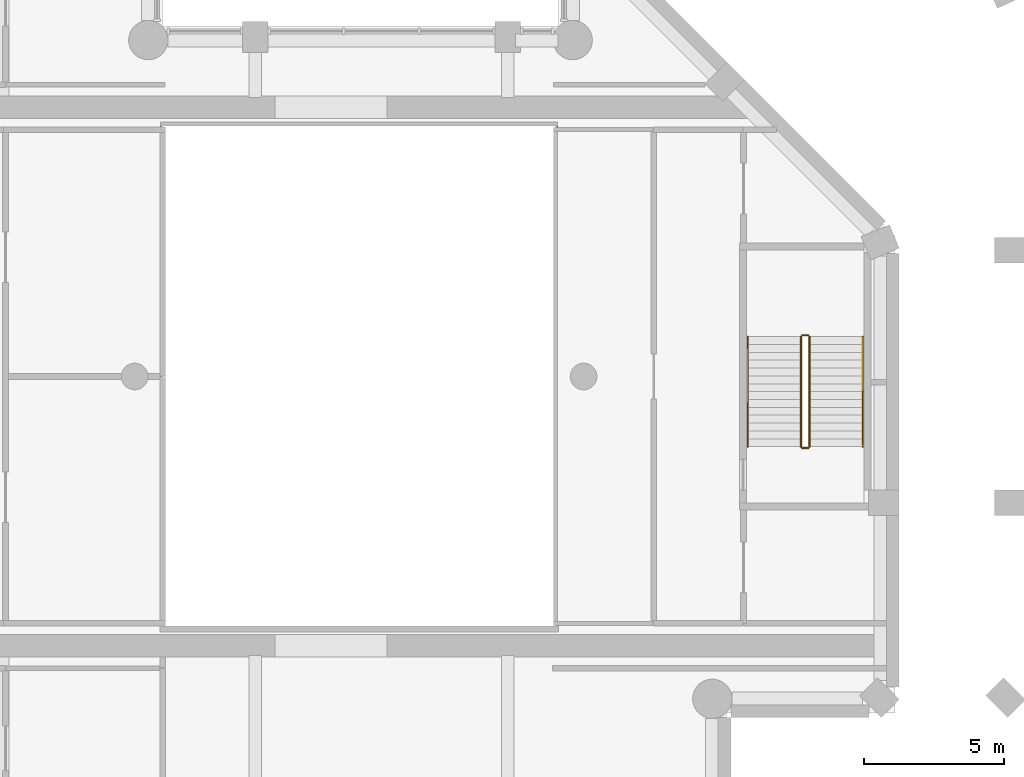
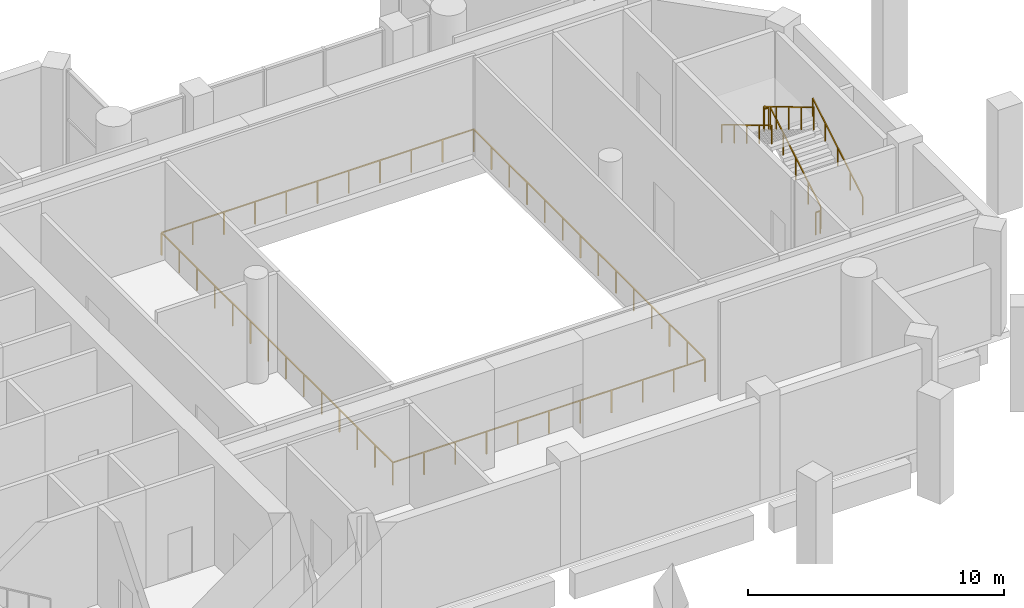
# One storey, part 11 of 12: 7 railings.
"""IFC4 building model written with IfcOpenShell, lengths in metres."""

from ifc_helpers import new_model, si_unit, direction, frame, origin, origin_2d, place, context, subcontext, project, spatial, rectangle, extrude, material, type_object, element, save


model = new_model("IFC4")

# Units and contexts
model_context = context("Model", 3, precision=1e-05, world=origin(), true_north=direction((0.0, 1.0)))
body_context = subcontext(model_context, "Body", "Model", "MODEL_VIEW")
ifc_project = project(units=[si_unit("LENGTHUNIT", "METRE"), si_unit("AREAUNIT", "SQUARE_METRE"), si_unit("VOLUMEUNIT", "CUBIC_METRE"), si_unit("PLANEANGLEUNIT", "RADIAN"), si_unit("MASSUNIT", "GRAM", prefix="KILO")], contexts=[model_context])

# Site, building, storey
site_placement = place(None, origin())
site = spatial("IfcSite", under=ifc_project, at=site_placement, CompositionType="ELEMENT")
building_placement = place(site_placement, origin())
building = spatial("IfcBuilding", under=site, at=building_placement, Name="Cypress Arch Tower", CompositionType="ELEMENT")
storey_placement = place(building_placement, frame((0.0, 0.0, 238.39990234375)))
storey = spatial("IfcBuildingStorey", under=building, at=storey_placement, Name="L53", CompositionType="ELEMENT", Elevation=238.39990234375)

# Railings
ifc_material_1 = material(Name="Stainless steel posts and handrail, laminated glass infill", Category="steel")
railing_type_1 = type_object("IfcRailingType", Name="Atrium guard GR1100A", PredefinedType="GUARDRAIL", material=ifc_material_1)
railing_1_placement = place(storey_placement, frame((8.050048828125, -9.050048828125, 0.0)))
element("IfcRailing", 1, at=railing_1_placement, inside=storey, type_object=railing_type_1, Name="Atrium guard L53", PredefinedType="GUARDRAIL", context=body_context, shape_type="SweptSolid", body=[
    extrude(rectangle(XDim=0.050048828125, YDim=0.050048828125, at=origin_2d()), frame((0.0, 0.0, 1.0751953125), z_axis=(-1.0, 0.0, 0.0), x_axis=(0.0, -1.0, 0.0)), (0.0, 0.0, 1.0), 14.10009765625),
    extrude(rectangle(XDim=0.050048828125, YDim=0.050048828125, at=origin_2d()), frame((-14.10009765625, 0.0, 1.0751953125), z_axis=(0.0, 1.0, 0.0), x_axis=(-1.0, 0.0, 0.0)), (0.0, 0.0, 1.0), 18.10009765625),
    extrude(rectangle(XDim=0.050048828125, YDim=0.050048828125, at=origin_2d()), frame((-14.10009765625, 18.10009765625, 1.0751953125), z_axis=(1.0, 0.0, 0.0), x_axis=(0.0, 1.0, 0.0)), (0.0, 0.0, 1.0), 14.10009765625),
    extrude(rectangle(XDim=0.050048828125, YDim=0.050048828125, at=origin_2d()), frame((0.0, 18.10009765625, 1.0751953125), z_axis=(0.0, -1.0, 0.0), x_axis=(1.0, 0.0, 0.0)), (0.0, 0.0, 1.0), 18.10009765625),
    extrude(rectangle(XDim=0.050048828125, YDim=0.050048828125, at=origin_2d()), origin(), (0.0, 0.0, 1.0), 1.050048828125),
    extrude(rectangle(XDim=0.050048828125, YDim=0.050048828125, at=origin_2d()), frame((-1.409912109375, 0.0, 0.0)), (0.0, 0.0, 1.0), 1.050048828125),
    extrude(rectangle(XDim=0.050048828125, YDim=0.050048828125, at=origin_2d()), frame((-2.820068359375, 0.0, 0.0)), (0.0, 0.0, 1.0), 1.050048828125),
    extrude(rectangle(XDim=0.050048828125, YDim=0.050048828125, at=origin_2d()), frame((-4.22998046875, 0.0, 0.0)), (0.0, 0.0, 1.0), 1.050048828125),
    extrude(rectangle(XDim=0.050048828125, YDim=0.050048828125, at=origin_2d()), frame((-5.64013671875, 0.0, 0.0)), (0.0, 0.0, 1.0), 1.050048828125),
    extrude(rectangle(XDim=0.050048828125, YDim=0.050048828125, at=origin_2d()), frame((-7.050048828125, 0.0, 0.0)), (0.0, 0.0, 1.0), 1.050048828125),
    extrude(rectangle(XDim=0.050048828125, YDim=0.050048828125, at=origin_2d()), frame((-8.4599609375, 0.0, 0.0)), (0.0, 0.0, 1.0), 1.050048828125),
    extrude(rectangle(XDim=0.050048828125, YDim=0.050048828125, at=origin_2d()), frame((-9.8701171875, 0.0, 0.0)), (0.0, 0.0, 1.0), 1.050048828125),
    extrude(rectangle(XDim=0.050048828125, YDim=0.050048828125, at=origin_2d()), frame((-11.280029296875, 0.0, 0.0)), (0.0, 0.0, 1.0), 1.050048828125),
    extrude(rectangle(XDim=0.050048828125, YDim=0.050048828125, at=origin_2d()), frame((-12.690185546875, 0.0, 0.0)), (0.0, 0.0, 1.0), 1.050048828125),
    extrude(rectangle(XDim=0.050048828125, YDim=0.050048828125, at=origin_2d()), frame((-14.10009765625, 0.0, 0.0)), (0.0, 0.0, 1.0), 1.050048828125),
    extrude(rectangle(XDim=0.050048828125, YDim=0.050048828125, at=origin_2d()), frame((-14.10009765625, 1.392333984375, 0.0)), (0.0, 0.0, 1.0), 1.050048828125),
    extrude(rectangle(XDim=0.050048828125, YDim=0.050048828125, at=origin_2d()), frame((-14.10009765625, 2.78466796875, 0.0)), (0.0, 0.0, 1.0), 1.050048828125),
    extrude(rectangle(XDim=0.050048828125, YDim=0.050048828125, at=origin_2d()), frame((-14.10009765625, 4.177001953125, 0.0)), (0.0, 0.0, 1.0), 1.050048828125),
    extrude(rectangle(XDim=0.050048828125, YDim=0.050048828125, at=origin_2d()), frame((-14.10009765625, 5.5693359375, 0.0)), (0.0, 0.0, 1.0), 1.050048828125),
    extrude(rectangle(XDim=0.050048828125, YDim=0.050048828125, at=origin_2d()), frame((-14.10009765625, 6.961669921875, 0.0)), (0.0, 0.0, 1.0), 1.050048828125),
    extrude(rectangle(XDim=0.050048828125, YDim=0.050048828125, at=origin_2d()), frame((-14.10009765625, 8.35400390625, 0.0)), (0.0, 0.0, 1.0), 1.050048828125),
    extrude(rectangle(XDim=0.050048828125, YDim=0.050048828125, at=origin_2d()), frame((-14.10009765625, 9.74609375, 0.0)), (0.0, 0.0, 1.0), 1.050048828125),
    extrude(rectangle(XDim=0.050048828125, YDim=0.050048828125, at=origin_2d()), frame((-14.10009765625, 11.138427734375, 0.0)), (0.0, 0.0, 1.0), 1.050048828125),
    extrude(rectangle(XDim=0.050048828125, YDim=0.050048828125, at=origin_2d()), frame((-14.10009765625, 12.53076171875, 0.0)), (0.0, 0.0, 1.0), 1.050048828125),
    extrude(rectangle(XDim=0.050048828125, YDim=0.050048828125, at=origin_2d()), frame((-14.10009765625, 13.923095703125, 0.0)), (0.0, 0.0, 1.0), 1.050048828125),
    extrude(rectangle(XDim=0.050048828125, YDim=0.050048828125, at=origin_2d()), frame((-14.10009765625, 15.3154296875, 0.0)), (0.0, 0.0, 1.0), 1.050048828125),
    extrude(rectangle(XDim=0.050048828125, YDim=0.050048828125, at=origin_2d()), frame((-14.10009765625, 16.707763671875, 0.0)), (0.0, 0.0, 1.0), 1.050048828125),
    extrude(rectangle(XDim=0.050048828125, YDim=0.050048828125, at=origin_2d()), frame((-14.10009765625, 18.10009765625, 0.0)), (0.0, 0.0, 1.0), 1.050048828125),
    extrude(rectangle(XDim=0.050048828125, YDim=0.050048828125, at=origin_2d()), frame((-12.690185546875, 18.10009765625, 0.0)), (0.0, 0.0, 1.0), 1.050048828125),
    extrude(rectangle(XDim=0.050048828125, YDim=0.050048828125, at=origin_2d()), frame((-11.280029296875, 18.10009765625, 0.0)), (0.0, 0.0, 1.0), 1.050048828125),
    extrude(rectangle(XDim=0.050048828125, YDim=0.050048828125, at=origin_2d()), frame((-9.8701171875, 18.10009765625, 0.0)), (0.0, 0.0, 1.0), 1.050048828125),
    extrude(rectangle(XDim=0.050048828125, YDim=0.050048828125, at=origin_2d()), frame((-8.4599609375, 18.10009765625, 0.0)), (0.0, 0.0, 1.0), 1.050048828125),
    extrude(rectangle(XDim=0.050048828125, YDim=0.050048828125, at=origin_2d()), frame((-7.050048828125, 18.10009765625, 0.0)), (0.0, 0.0, 1.0), 1.050048828125),
    extrude(rectangle(XDim=0.050048828125, YDim=0.050048828125, at=origin_2d()), frame((-5.64013671875, 18.10009765625, 0.0)), (0.0, 0.0, 1.0), 1.050048828125),
    extrude(rectangle(XDim=0.050048828125, YDim=0.050048828125, at=origin_2d()), frame((-4.22998046875, 18.10009765625, 0.0)), (0.0, 0.0, 1.0), 1.050048828125),
    extrude(rectangle(XDim=0.050048828125, YDim=0.050048828125, at=origin_2d()), frame((-2.820068359375, 18.10009765625, 0.0)), (0.0, 0.0, 1.0), 1.050048828125),
    extrude(rectangle(XDim=0.050048828125, YDim=0.050048828125, at=origin_2d()), frame((-1.409912109375, 18.10009765625, 0.0)), (0.0, 0.0, 1.0), 1.050048828125),
    extrude(rectangle(XDim=0.050048828125, YDim=0.050048828125, at=origin_2d()), frame((0.0, 18.10009765625, 0.0)), (0.0, 0.0, 1.0), 1.050048828125),
    extrude(rectangle(XDim=0.050048828125, YDim=0.050048828125, at=origin_2d()), frame((0.0, 16.707763671875, 0.0)), (0.0, 0.0, 1.0), 1.050048828125),
    extrude(rectangle(XDim=0.050048828125, YDim=0.050048828125, at=origin_2d()), frame((0.0, 15.3154296875, 0.0)), (0.0, 0.0, 1.0), 1.050048828125),
    extrude(rectangle(XDim=0.050048828125, YDim=0.050048828125, at=origin_2d()), frame((0.0, 13.923095703125, 0.0)), (0.0, 0.0, 1.0), 1.050048828125),
    extrude(rectangle(XDim=0.050048828125, YDim=0.050048828125, at=origin_2d()), frame((0.0, 12.53076171875, 0.0)), (0.0, 0.0, 1.0), 1.050048828125),
    extrude(rectangle(XDim=0.050048828125, YDim=0.050048828125, at=origin_2d()), frame((0.0, 11.138427734375, 0.0)), (0.0, 0.0, 1.0), 1.050048828125),
    extrude(rectangle(XDim=0.050048828125, YDim=0.050048828125, at=origin_2d()), frame((0.0, 9.74609375, 0.0)), (0.0, 0.0, 1.0), 1.050048828125),
    extrude(rectangle(XDim=0.050048828125, YDim=0.050048828125, at=origin_2d()), frame((0.0, 8.35400390625, 0.0)), (0.0, 0.0, 1.0), 1.050048828125),
    extrude(rectangle(XDim=0.050048828125, YDim=0.050048828125, at=origin_2d()), frame((0.0, 6.961669921875, 0.0)), (0.0, 0.0, 1.0), 1.050048828125),
    extrude(rectangle(XDim=0.050048828125, YDim=0.050048828125, at=origin_2d()), frame((0.0, 5.5693359375, 0.0)), (0.0, 0.0, 1.0), 1.050048828125),
    extrude(rectangle(XDim=0.050048828125, YDim=0.050048828125, at=origin_2d()), frame((0.0, 4.177001953125, 0.0)), (0.0, 0.0, 1.0), 1.050048828125),
    extrude(rectangle(XDim=0.050048828125, YDim=0.050048828125, at=origin_2d()), frame((0.0, 2.78466796875, 0.0)), (0.0, 0.0, 1.0), 1.050048828125),
    extrude(rectangle(XDim=0.050048828125, YDim=0.050048828125, at=origin_2d()), frame((0.0, 1.392333984375, 0.0)), (0.0, 0.0, 1.0), 1.050048828125),
])
ifc_material_2 = material(Name="Black powder-coated steel square bar 48 mm", Category="steel")
railing_type_2 = type_object("IfcRailingType", Name="Stair handrail HR1", PredefinedType="HANDRAIL", material=ifc_material_2)
railing_2_placement = place(storey_placement, frame((18.949951171875, -2.5, 0.166748046875)))
element("IfcRailing", 2, at=railing_2_placement, inside=storey, type_object=railing_type_2, Name="L53 C stair handrail 1", PredefinedType="HANDRAIL", context=body_context, shape_type="SweptSolid", body=[
    extrude(rectangle(XDim=0.048095703125, YDim=0.048095703125, at=origin_2d()), frame((0.0, 0.0, 0.8759765625), z_axis=(0.0, 0.859296244711, 0.511478214419), x_axis=(-1.0, 0.0, 0.0)), (0.0, 0.0, 1.0), 4.561767578125),
    extrude(rectangle(XDim=0.0419921875, YDim=0.0419921875, at=origin_2d()), origin(), (0.0, 0.0, 1.0), 0.851806640625),
    extrude(rectangle(XDim=0.0419921875, YDim=0.0419921875, at=origin_2d()), frame((0.0, 0.97998046875, 0.583251953125)), (0.0, 0.0, 1.0), 0.851806640625),
    extrude(rectangle(XDim=0.0419921875, YDim=0.0419921875, at=origin_2d()), frame((0.0, 1.9599609375, 1.16650390625)), (0.0, 0.0, 1.0), 0.851806640625),
    extrude(rectangle(XDim=0.0419921875, YDim=0.0419921875, at=origin_2d()), frame((0.0, 2.93994140625, 1.75)), (0.0, 0.0, 1.0), 0.851806640625),
    extrude(rectangle(XDim=0.0419921875, YDim=0.0419921875, at=origin_2d()), frame((0.0, 3.919921875, 2.333251953125)), (0.0, 0.0, 1.0), 0.851806640625),
])
railing_3_placement = place(storey_placement, frame((14.85009765625, 1.419921875, 2.666748046875)))
element("IfcRailing", 3, at=railing_3_placement, inside=storey, type_object=railing_type_2, Name="L53 C stair handrail 2", PredefinedType="HANDRAIL", context=body_context, shape_type="SweptSolid", body=[
    extrude(rectangle(XDim=0.048095703125, YDim=0.048095703125, at=origin_2d()), frame((0.0, 0.0, 0.8759765625), z_axis=(0.0, -0.859296244711, 0.511478214419), x_axis=(1.0, 0.0, 0.0)), (0.0, 0.0, 1.0), 4.561767578125),
    extrude(rectangle(XDim=0.0419921875, YDim=0.0419921875, at=origin_2d()), origin(), (0.0, 0.0, 1.0), 0.851806640625),
    extrude(rectangle(XDim=0.0419921875, YDim=0.0419921875, at=origin_2d()), frame((0.0, -0.97998046875, 0.583251953125)), (0.0, 0.0, 1.0), 0.851806640625),
    extrude(rectangle(XDim=0.0419921875, YDim=0.0419921875, at=origin_2d()), frame((0.0, -1.9599609375, 1.16650390625)), (0.0, 0.0, 1.0), 0.851806640625),
    extrude(rectangle(XDim=0.0419921875, YDim=0.0419921875, at=origin_2d()), frame((0.0, -2.93994140625, 1.75)), (0.0, 0.0, 1.0), 0.851806640625),
    extrude(rectangle(XDim=0.0419921875, YDim=0.0419921875, at=origin_2d()), frame((0.0, -3.919921875, 2.333251953125)), (0.0, 0.0, 1.0), 0.851806640625),
])
ifc_material_3 = material(Name="Black powder-coated steel balusters", Category="steel")
railing_type_3 = type_object("IfcRailingType", Name="Stair well guard G1", PredefinedType="GUARDRAIL", material=ifc_material_3)
railing_4_placement = place(storey_placement, frame((17.050048828125, -2.5, 0.166748046875)))
element("IfcRailing", 4, at=railing_4_placement, inside=storey, type_object=railing_type_3, Name="L53 C stair guard 1", PredefinedType="GUARDRAIL", context=body_context, shape_type="SweptSolid", body=[
    extrude(rectangle(XDim=0.048095703125, YDim=0.048095703125, at=origin_2d()), frame((0.0, 0.0, 1.076171875), z_axis=(0.0, 0.859296244711, 0.511478214419), x_axis=(-1.0, 0.0, 0.0)), (0.0, 0.0, 1.0), 4.561767578125),
    extrude(rectangle(XDim=0.0419921875, YDim=0.0419921875, at=origin_2d()), origin(), (0.0, 0.0, 1.0), 1.052001953125),
    extrude(rectangle(XDim=0.0419921875, YDim=0.0419921875, at=origin_2d()), frame((0.0, 0.97998046875, 0.583251953125)), (0.0, 0.0, 1.0), 1.052001953125),
    extrude(rectangle(XDim=0.0419921875, YDim=0.0419921875, at=origin_2d()), frame((0.0, 1.9599609375, 1.16650390625)), (0.0, 0.0, 1.0), 1.052001953125),
    extrude(rectangle(XDim=0.0419921875, YDim=0.0419921875, at=origin_2d()), frame((0.0, 2.93994140625, 1.75)), (0.0, 0.0, 1.0), 1.052001953125),
    extrude(rectangle(XDim=0.0419921875, YDim=0.0419921875, at=origin_2d()), frame((0.0, 3.919921875, 2.333251953125)), (0.0, 0.0, 1.0), 1.052001953125),
])
railing_5_placement = place(storey_placement, frame((17.0, 1.469970703125, 2.5)))
element("IfcRailing", 5, at=railing_5_placement, inside=storey, type_object=railing_type_3, Name="L53 C stair guard 2", PredefinedType="GUARDRAIL", context=body_context, shape_type="SweptSolid", body=[
    extrude(rectangle(XDim=0.048095703125, YDim=0.048095703125, at=origin_2d()), frame((0.0, 0.0, 1.076171875), z_axis=(-1.0, 0.0, 0.0), x_axis=(0.0, -1.0, 0.0)), (0.0, 0.0, 1.0), 0.199951171875),
    extrude(rectangle(XDim=0.0419921875, YDim=0.0419921875, at=origin_2d()), origin(), (0.0, 0.0, 1.0), 1.052001953125),
    extrude(rectangle(XDim=0.0419921875, YDim=0.0419921875, at=origin_2d()), frame((-0.199951171875, 0.0, 0.0)), (0.0, 0.0, 1.0), 1.052001953125),
])
railing_6_placement = place(storey_placement, frame((16.75, 1.419921875, 2.666748046875)))
element("IfcRailing", 6, at=railing_6_placement, inside=storey, type_object=railing_type_3, Name="L53 C stair guard 3", PredefinedType="GUARDRAIL", context=body_context, shape_type="SweptSolid", body=[
    extrude(rectangle(XDim=0.048095703125, YDim=0.048095703125, at=origin_2d()), frame((0.0, 0.0, 1.076171875), z_axis=(0.0, -0.859296244711, 0.511478214419), x_axis=(1.0, 0.0, 0.0)), (0.0, 0.0, 1.0), 4.561767578125),
    extrude(rectangle(XDim=0.0419921875, YDim=0.0419921875, at=origin_2d()), origin(), (0.0, 0.0, 1.0), 1.052001953125),
    extrude(rectangle(XDim=0.0419921875, YDim=0.0419921875, at=origin_2d()), frame((0.0, -0.97998046875, 0.583251953125)), (0.0, 0.0, 1.0), 1.052001953125),
    extrude(rectangle(XDim=0.0419921875, YDim=0.0419921875, at=origin_2d()), frame((0.0, -1.9599609375, 1.16650390625)), (0.0, 0.0, 1.0), 1.052001953125),
    extrude(rectangle(XDim=0.0419921875, YDim=0.0419921875, at=origin_2d()), frame((0.0, -2.93994140625, 1.75)), (0.0, 0.0, 1.0), 1.052001953125),
    extrude(rectangle(XDim=0.0419921875, YDim=0.0419921875, at=origin_2d()), frame((0.0, -3.919921875, 2.333251953125)), (0.0, 0.0, 1.0), 1.052001953125),
])
railing_7_placement = place(storey_placement, frame((17.0, -2.550048828125, 0.0)))
element("IfcRailing", 7, at=railing_7_placement, inside=storey, type_object=railing_type_3, Name="L53 C stair guard 4", PredefinedType="GUARDRAIL", context=body_context, shape_type="SweptSolid", body=[
    extrude(rectangle(XDim=0.048095703125, YDim=0.048095703125, at=origin_2d()), frame((0.0, 0.0, 1.076171875), z_axis=(-1.0, 0.0, 0.0), x_axis=(0.0, -1.0, 0.0)), (0.0, 0.0, 1.0), 0.199951171875),
    extrude(rectangle(XDim=0.0419921875, YDim=0.0419921875, at=origin_2d()), origin(), (0.0, 0.0, 1.0), 1.052001953125),
    extrude(rectangle(XDim=0.0419921875, YDim=0.0419921875, at=origin_2d()), frame((-0.199951171875, 0.0, 0.0)), (0.0, 0.0, 1.0), 1.052001953125),
])

save(model, "model.ifc")
